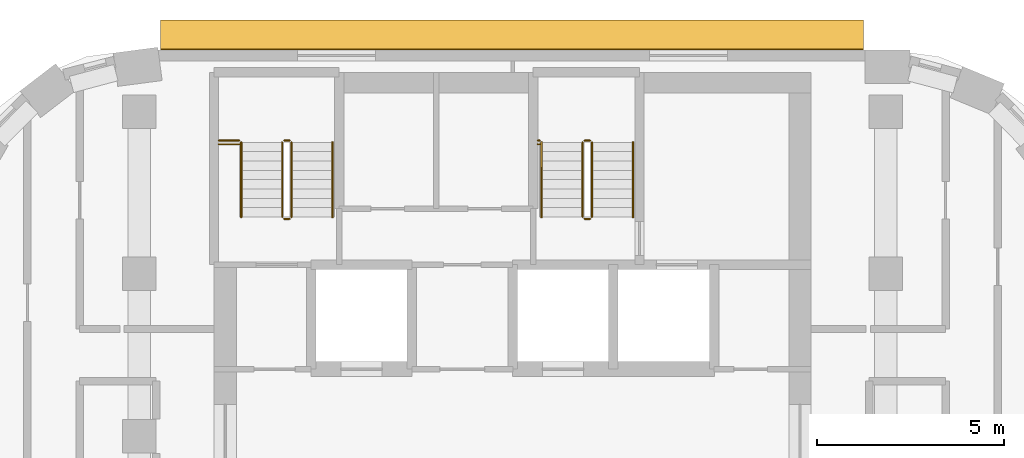
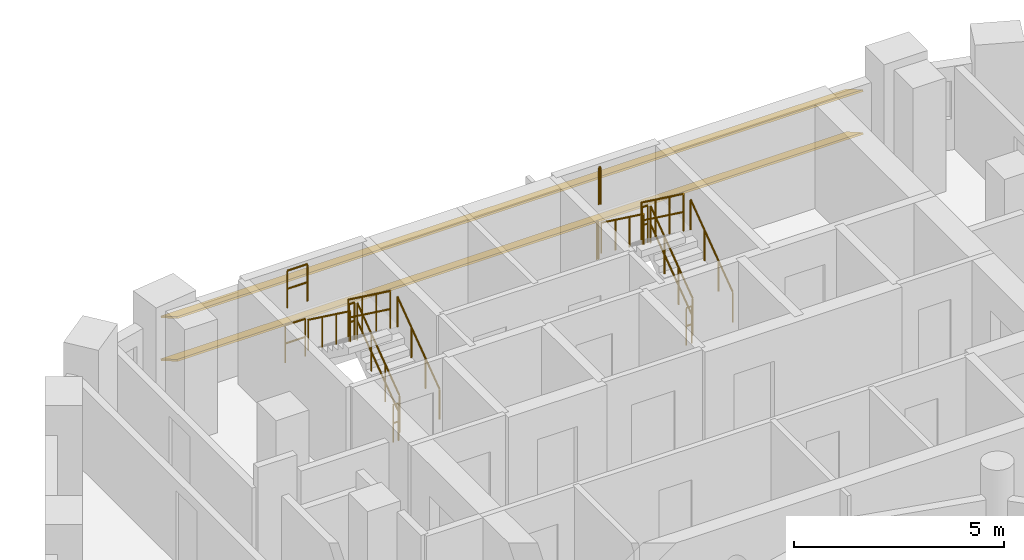
# One storey, part 16 of 16: 16 railings, 2 shading devices.
"""IFC4 building model written with IfcOpenShell, lengths in metres."""

import ifcopenshell
import ifcopenshell.guid

model = None  # the IFC model being written
_history = None  # IfcOwnerHistory: only IFC2X3 demands one
_inside = {}  # id of a spatial element -> (the spatial element, [elements in it])
_under = {}  # id of a project, library or spatial element -> (it, [spatial elements below it])
_declared = {}  # id of a project -> (the project, [libraries it declares])
_typed = {}  # id of a type object -> (the type object, [elements of that type])
_made_of = {}  # id of a material, layer set ... -> (it, [elements and type objects made of it])


def new_model(schema):
    """Start an empty IFC model of exactly this schema.

    Asked for "IFC4X3", IfcOpenShell would pick the latest addendum, in which some entities
    have other attributes; the version numbers below select the first issue.
    IFC2X3 requires an IfcOwnerHistory on every rooted entity: one is made here for all.
    """
    global model, _history
    if schema == "IFC4X3":
        model = ifcopenshell.file(schema_version=(4, 3, 0, 0))
    else:
        model = ifcopenshell.file(schema=schema)
    _inside.clear()
    _under.clear()
    _declared.clear()
    _typed.clear()
    _made_of.clear()
    _history = None
    if model.schema == "IFC2X3":
        org = make("IfcOrganization", Name="unknown")
        user = make(
            "IfcPersonAndOrganization",
            ThePerson=make("IfcPerson", FamilyName="unknown"),
            TheOrganization=org,
        )
        app = make(
            "IfcApplication",
            ApplicationDeveloper=org,
            Version="unknown",
            ApplicationFullName="unknown",
            ApplicationIdentifier="unknown",
        )
        _history = make(
            "IfcOwnerHistory",
            OwningUser=user,
            OwningApplication=app,
            ChangeAction="ADDED",
            CreationDate=0,
        )
    return model


def make(cls, **values):
    """One entity of the class cls with the attributes given. An attribute that is None is left unset."""
    return model.create_entity(
        cls, **{name: value for name, value in values.items() if value is not None}
    )


def rooted(cls, **values):
    """An entity with a GlobalId (a new one), such as an element, a storey or a relation."""
    return make(cls, GlobalId=ifcopenshell.guid.new(), OwnerHistory=_history, **values)


def si_unit(unit_type, name, prefix=None):
    """IfcSIUnit, for example si_unit("LENGTHUNIT", "METRE", prefix="MILLI")."""
    return make("IfcSIUnit", UnitType=unit_type, Prefix=prefix, Name=name)


def assignment(units):
    """IfcUnitAssignment: the units of a project."""
    return None if units is None else make("IfcUnitAssignment", Units=units)


def point(xyz):
    """IfcCartesianPoint."""
    return None if xyz is None else make("IfcCartesianPoint", Coordinates=xyz)


def direction(xyz):
    """IfcDirection."""
    return None if xyz is None else make("IfcDirection", DirectionRatios=xyz)


def frame(location, z_axis=None, x_axis=None):
    """IfcAxis2Placement3D, a coordinate frame: its origin and axes. An axis left out is left unset."""
    return make(
        "IfcAxis2Placement3D",
        Location=point(location),
        Axis=direction(z_axis),
        RefDirection=direction(x_axis),
    )


def frame_2d(location, x_axis=None):
    """IfcAxis2Placement2D, a coordinate frame in the plane: its origin and x axis."""
    return make(
        "IfcAxis2Placement2D", Location=point(location), RefDirection=direction(x_axis)
    )


def origin():
    """The frame at (0, 0, 0) with its axes left unset."""
    return frame((0.0, 0.0, 0.0))


def origin_2d():
    """The frame at (0, 0) in the plane with its x axis left unset."""
    return frame_2d((0.0, 0.0))


def place(relative_to, where):
    """IfcLocalPlacement: puts the frame where relative to a parent placement (None: the world)."""
    return make(
        "IfcLocalPlacement", PlacementRelTo=relative_to, RelativePlacement=where
    )


def context(
    kind, dimensions, precision=None, world=None, true_north=None, identifier=None
):
    """IfcGeometricRepresentationContext, for example the 3D "Model" context."""
    return make(
        "IfcGeometricRepresentationContext",
        ContextIdentifier=identifier,
        ContextType=kind,
        CoordinateSpaceDimension=dimensions,
        Precision=precision,
        WorldCoordinateSystem=world,
        TrueNorth=true_north,
    )


def subcontext(parent, identifier, kind, view, scale=None):
    """IfcGeometricRepresentationSubContext, for example "Body" below "Model"."""
    return make(
        "IfcGeometricRepresentationSubContext",
        ContextIdentifier=identifier,
        ContextType=kind,
        ParentContext=parent,
        TargetScale=scale,
        TargetView=view,
    )


def project(units=None, contexts=None):
    """IfcProject with its units and contexts."""
    return rooted(
        "IfcProject",
        Name="project",
        RepresentationContexts=contexts,
        UnitsInContext=assignment(units),
    )


def spatial(cls, under=None, at=None, **own):
    """A site, building, storey or space (cls), placed at a placement, below another one or the project."""
    s = rooted(cls, ObjectPlacement=at, **own)
    if under is not None:
        _under.setdefault(under.id(), (under, []))[1].append(s)
    return s


def profile(cls, at=None, kind="AREA", **sizes):
    """A parametric profile (cls). Its sizes go by their IFC names, for example OverallWidth=200.0."""
    return make(cls, ProfileType=kind, Position=at, **sizes)


def rectangle(**sizes):
    """IfcRectangleProfileDef."""
    return profile("IfcRectangleProfileDef", **sizes)


def circle(**sizes):
    """IfcCircleProfileDef."""
    return profile("IfcCircleProfileDef", **sizes)


def extrude(swept, where, along, depth):
    """IfcExtrudedAreaSolid: the profile swept, set in the frame where, extruded along a direction by depth."""
    return make(
        "IfcExtrudedAreaSolid",
        SweptArea=swept,
        Position=where,
        ExtrudedDirection=direction(along),
        Depth=depth,
    )


def shape(context_of_items, identifier, shape_type, items):
    """IfcShapeRepresentation: the items that make up one representation, for example the "Body"."""
    return make(
        "IfcShapeRepresentation",
        ContextOfItems=context_of_items,
        RepresentationIdentifier=identifier,
        RepresentationType=shape_type,
        Items=items,
    )


def material(Name=None, Category=None):
    """IfcMaterial."""
    return make("IfcMaterial", Name=Name, Category=Category)


def material_profile(
    of_material, cross_section, Name=None, Category=None, Priority=None
):
    """IfcMaterialProfile: a cross section and its material."""
    return make(
        "IfcMaterialProfile",
        Name=Name,
        Material=of_material,
        Profile=cross_section,
        Priority=Priority,
        Category=Category,
    )


def profile_set(profiles, Name=None, composite=None):
    """IfcMaterialProfileSet."""
    return make(
        "IfcMaterialProfileSet",
        Name=Name,
        MaterialProfiles=profiles,
        CompositeProfile=composite,
    )


def made_of(thing, what):
    """Note that an element or type object is made of a material, layer set ...; save() writes the relation."""
    if what is not None:
        _made_of.setdefault(what.id(), (what, []))[1].append(thing)
    return thing


def type_object(cls, material=None, **own):
    """A type object (cls), such as IfcWallType, which elements share."""
    return made_of(rooted(cls, **own), material)


def element(
    cls,
    number,
    at=None,
    inside=None,
    cuts=None,
    type_object=None,
    material=None,
    context=None,
    identifier="Body",
    shape_type=None,
    held_by="IfcProductDefinitionShape",
    body=None,
    shapes=None,
    **own,
):
    """One element of the class cls, such as IfcWall. Its Tag is "e" and its number.

    at: its placement. inside: the storey or other place that contains it. cuts: it is an
    opening in that element (IfcRelVoidsElement). A single representation is given by context,
    identifier, shape_type and body (its items); several are given by shapes. held_by: the class
    of the entity that holds the representations. save() writes the other relations.
    """
    e = rooted(cls, Tag="e%d" % number, ObjectPlacement=at, **own)
    if body is not None:
        shapes = [shape(context, identifier, shape_type, body)]
    if shapes is not None:
        e.Representation = make(held_by, Representations=shapes)
    if inside is not None:
        _inside.setdefault(inside.id(), (inside, []))[1].append(e)
    if cuts is not None:
        rooted(
            "IfcRelVoidsElement", RelatingBuildingElement=cuts, RelatedOpeningElement=e
        )
    if type_object is not None:
        _typed.setdefault(type_object.id(), (type_object, []))[1].append(e)
    return made_of(e, material)


def aggregate(whole, parts):
    """IfcRelAggregates: a whole, such as a stair, and the parts it consists of."""
    return rooted("IfcRelAggregates", RelatingObject=whole, RelatedObjects=parts)


def save(model, path):
    """Write the relations noted so far, then the file.

    IfcRelAggregates (storeys below a building ...), IfcRelContainedInSpatialStructure (elements
    in a storey), IfcRelDefinesByType, IfcRelAssociatesMaterial and IfcRelDeclares: one each for
    every whole, place, type object, material and project.
    """
    for whole, parts in _under.values():
        aggregate(whole, parts)
    for where, things in _inside.values():
        rooted(
            "IfcRelContainedInSpatialStructure",
            RelatedElements=things,
            RelatingStructure=where,
        )
    for kind, things in _typed.values():
        rooted("IfcRelDefinesByType", RelatedObjects=things, RelatingType=kind)
    for what, things in _made_of.values():
        rooted("IfcRelAssociatesMaterial", RelatedObjects=things, RelatingMaterial=what)
    for by, libraries in _declared.values():
        rooted("IfcRelDeclares", RelatingContext=by, RelatedDefinitions=libraries)
    model.write(path)


model = new_model("IFC4")

# Units and contexts
model_context = context("Model", 3, precision=1e-05, world=origin(), true_north=direction((0.0, 1.0)))
body_context = subcontext(model_context, "Body", "Model", "MODEL_VIEW")
ifc_project = project(units=[si_unit("LENGTHUNIT", "METRE"), si_unit("AREAUNIT", "SQUARE_METRE"), si_unit("VOLUMEUNIT", "CUBIC_METRE"), si_unit("PLANEANGLEUNIT", "RADIAN"), si_unit("MASSUNIT", "GRAM", prefix="KILO")], contexts=[model_context])

# Site, building, storey
site_placement = place(None, origin())
site = spatial("IfcSite", under=ifc_project, at=site_placement, CompositionType="ELEMENT")
building_placement = place(site_placement, origin())
building = spatial("IfcBuilding", under=site, at=building_placement, Name="Nakaniwa Court", CompositionType="ELEMENT")
storey_placement = place(building_placement, frame((0.0, 0.0, 196.5)))
storey = spatial("IfcBuildingStorey", under=building, at=storey_placement, Name="L51", CompositionType="ELEMENT", Elevation=196.5)

# Shading devices
ifc_material_1 = material(Name="Perforated charcoal ceramic louvre blade")
ifc_material_profile = material_profile(ifc_material_1, rectangle(XDim=0.89990234375, YDim=0.050048828125, at=origin_2d()), Name="Perforated ceramic louvre blade")
ifc_profile_set = profile_set([ifc_material_profile], Name="Perforated charcoal ceramic louvre blade")
shading_device_type = type_object("IfcShadingDeviceType", Name="Perforated ceramic louvre blade", PredefinedType="JALOUSIE", material=ifc_profile_set)
for number, where, z_axis, x_axis, name in (
    (1, (89.3994140625, 103.05224609375, 0.550048828125), (-1.0, 0.0, 0.0), (0.0, -0.866025403784, 0.5), "L51 perforated ceramic louvre blade w08 1"),
    (2, (89.3994140625, 103.05224609375, 1.793212890625), (-1.0, 0.0, 0.0), (0.0, -0.866025403784, 0.5), "L51 perforated ceramic louvre blade w08 2"),
):
    element("IfcShadingDevice", number, at=place(storey_placement, frame(where, z_axis=z_axis, x_axis=x_axis)), inside=storey, type_object=shading_device_type, Name=name, PredefinedType="JALOUSIE", context=body_context, shape_type="SweptSolid", body=[
        extrude(rectangle(XDim=0.89990234375, YDim=0.050048828125, at=origin_2d()), origin(), (0.0, 0.0, 1.0), 18.8330078125),
    ])

# Railings
ifc_material_2 = material(Name="Black powder coated steel guard", Category="steel")
railing_type_1 = type_object("IfcRailingType", Name="Stair guard 1100", PredefinedType="GUARDRAIL", material=ifc_material_2)
railing_1_placement = place(storey_placement, frame((74.074951171875, 98.175048828125, 0.183349609375)))
element("IfcRailing", 3, at=railing_1_placement, inside=storey, type_object=railing_type_1, Name="L51 ST1 stair guard 1", PredefinedType="GUARDRAIL", context=body_context, shape_type="SweptSolid", body=[
    extrude(circle(Radius=0.02392578125, at=origin_2d()), frame((0.0, 0.0, 1.076171875), z_axis=(0.0, 0.806426902644, 0.591333789573), x_axis=(-1.0, 0.0, 0.0)), (0.0, 0.0, 1.0), 2.47998046875),
    extrude(circle(Radius=0.02392578125, at=origin_2d()), frame((0.0, 0.0, 0.550048828125), z_axis=(0.0, 0.806426902644, 0.591333789573), x_axis=(-1.0, 0.0, 0.0)), (0.0, 0.0, 1.0), 2.47998046875),
    extrude(circle(Radius=0.02099609375, at=origin_2d()), origin(), (0.0, 0.0, 1.0), 1.052001953125),
    extrude(circle(Radius=0.02099609375, at=origin_2d()), frame((0.0, 0.666748046875, 0.48876953125)), (0.0, 0.0, 1.0), 1.052001953125),
    extrude(circle(Radius=0.02099609375, at=origin_2d()), frame((0.0, 1.333251953125, 0.977783203125)), (0.0, 0.0, 1.0), 1.052001953125),
    extrude(circle(Radius=0.02099609375, at=origin_2d()), frame((0.0, 2.0, 1.466552734375)), (0.0, 0.0, 1.0), 1.052001953125),
])
railing_2_placement = place(storey_placement, frame((74.02490234375, 100.22509765625, 1.64990234375)))
element("IfcRailing", 4, at=railing_2_placement, inside=storey, type_object=railing_type_1, Name="L51 ST1 stair guard 2", PredefinedType="GUARDRAIL", context=body_context, shape_type="SweptSolid", body=[
    extrude(circle(Radius=0.02392578125, at=origin_2d()), frame((0.0, 0.0, 1.076171875), z_axis=(-1.0, 0.0, 0.0), x_axis=(0.0, -1.0, 0.0)), (0.0, 0.0, 1.0), 0.14990234375),
    extrude(circle(Radius=0.02392578125, at=origin_2d()), frame((0.0, 0.0, 0.550048828125), z_axis=(-1.0, 0.0, 0.0), x_axis=(0.0, -1.0, 0.0)), (0.0, 0.0, 1.0), 0.14990234375),
    extrude(circle(Radius=0.02099609375, at=origin_2d()), origin(), (0.0, 0.0, 1.0), 1.052001953125),
    extrude(circle(Radius=0.02099609375, at=origin_2d()), frame((-0.14990234375, 0.0, 0.0)), (0.0, 0.0, 1.0), 1.052001953125),
])
railing_3_placement = place(storey_placement, frame((73.824951171875, 100.175048828125, 1.833251953125)))
element("IfcRailing", 5, at=railing_3_placement, inside=storey, type_object=railing_type_1, Name="L51 ST1 stair guard 3", PredefinedType="GUARDRAIL", context=body_context, shape_type="SweptSolid", body=[
    extrude(circle(Radius=0.02392578125, at=origin_2d()), frame((0.0, 0.0, 1.076171875), z_axis=(0.0, -0.806379959628, 0.591397802423), x_axis=(1.0, 0.0, 0.0)), (0.0, 0.0, 1.0), 2.480224609375),
    extrude(circle(Radius=0.02392578125, at=origin_2d()), frame((0.0, 0.0, 0.550048828125), z_axis=(0.0, -0.806379959628, 0.591397802423), x_axis=(1.0, 0.0, 0.0)), (0.0, 0.0, 1.0), 2.480224609375),
    extrude(circle(Radius=0.02099609375, at=origin_2d()), origin(), (0.0, 0.0, 1.0), 1.052001953125),
    extrude(circle(Radius=0.02099609375, at=origin_2d()), frame((0.0, -0.666748046875, 0.489013671875)), (0.0, 0.0, 1.0), 1.052001953125),
    extrude(circle(Radius=0.02099609375, at=origin_2d()), frame((0.0, -1.333251953125, 0.977783203125)), (0.0, 0.0, 1.0), 1.052001953125),
    extrude(circle(Radius=0.02099609375, at=origin_2d()), frame((0.0, -2.0, 1.466796875)), (0.0, 0.0, 1.0), 1.052001953125),
])
railing_4_placement = place(storey_placement, frame((74.02490234375, 98.125, 0.0)))
element("IfcRailing", 6, at=railing_4_placement, inside=storey, type_object=railing_type_1, Name="L51 ST1 stair guard 4", PredefinedType="GUARDRAIL", context=body_context, shape_type="SweptSolid", body=[
    extrude(circle(Radius=0.02392578125, at=origin_2d()), frame((0.0, 0.0, 1.076171875), z_axis=(-1.0, 0.0, 0.0), x_axis=(0.0, -1.0, 0.0)), (0.0, 0.0, 1.0), 0.14990234375),
    extrude(circle(Radius=0.02392578125, at=origin_2d()), frame((0.0, 0.0, 0.550048828125), z_axis=(-1.0, 0.0, 0.0), x_axis=(0.0, -1.0, 0.0)), (0.0, 0.0, 1.0), 0.14990234375),
    extrude(circle(Radius=0.02099609375, at=origin_2d()), origin(), (0.0, 0.0, 1.0), 1.052001953125),
    extrude(circle(Radius=0.02099609375, at=origin_2d()), frame((-0.14990234375, 0.0, 0.0)), (0.0, 0.0, 1.0), 1.052001953125),
])
for number, where, name in (
    (7, (72.125, 100.22509765625, 1.64990234375), "L51 ST1 landing side guard 1W"),
    (8, (72.125, 100.125, 3.300048828125), "L51 ST1 floor edge guard 1W"),
):
    element("IfcRailing", number, at=place(storey_placement, frame(where)), inside=storey, type_object=railing_type_1, Name=name, PredefinedType="GUARDRAIL", context=body_context, shape_type="SweptSolid", body=[
        extrude(circle(Radius=0.02392578125, at=origin_2d()), frame((0.0, 0.0, 1.076171875), z_axis=(1.0, 0.0, 0.0), x_axis=(0.0, 1.0, 0.0)), (0.0, 0.0, 1.0), 0.550048828125),
        extrude(circle(Radius=0.02392578125, at=origin_2d()), frame((0.0, 0.0, 0.550048828125), z_axis=(1.0, 0.0, 0.0), x_axis=(0.0, 1.0, 0.0)), (0.0, 0.0, 1.0), 0.550048828125),
        extrude(circle(Radius=0.02099609375, at=origin_2d()), origin(), (0.0, 0.0, 1.0), 1.052001953125),
        extrude(circle(Radius=0.02099609375, at=origin_2d()), frame((0.550048828125, 0.0, 0.0)), (0.0, 0.0, 1.0), 1.052001953125),
    ])
railing_5_placement = place(storey_placement, frame((82.125, 98.175048828125, 0.183349609375)))
element("IfcRailing", 9, at=railing_5_placement, inside=storey, type_object=railing_type_1, Name="L51 ST2 stair guard 1", PredefinedType="GUARDRAIL", context=body_context, shape_type="SweptSolid", body=[
    extrude(circle(Radius=0.02392578125, at=origin_2d()), frame((0.0, 0.0, 1.076171875), z_axis=(0.0, 0.806426902644, 0.591333789573), x_axis=(-1.0, 0.0, 0.0)), (0.0, 0.0, 1.0), 2.47998046875),
    extrude(circle(Radius=0.02392578125, at=origin_2d()), frame((0.0, 0.0, 0.550048828125), z_axis=(0.0, 0.806426902644, 0.591333789573), x_axis=(-1.0, 0.0, 0.0)), (0.0, 0.0, 1.0), 2.47998046875),
    extrude(circle(Radius=0.02099609375, at=origin_2d()), origin(), (0.0, 0.0, 1.0), 1.052001953125),
    extrude(circle(Radius=0.02099609375, at=origin_2d()), frame((0.0, 0.666748046875, 0.48876953125)), (0.0, 0.0, 1.0), 1.052001953125),
    extrude(circle(Radius=0.02099609375, at=origin_2d()), frame((0.0, 1.333251953125, 0.977783203125)), (0.0, 0.0, 1.0), 1.052001953125),
    extrude(circle(Radius=0.02099609375, at=origin_2d()), frame((0.0, 2.0, 1.466552734375)), (0.0, 0.0, 1.0), 1.052001953125),
])
railing_6_placement = place(storey_placement, frame((82.074951171875, 100.22509765625, 1.64990234375)))
element("IfcRailing", 10, at=railing_6_placement, inside=storey, type_object=railing_type_1, Name="L51 ST2 stair guard 2", PredefinedType="GUARDRAIL", context=body_context, shape_type="SweptSolid", body=[
    extrude(circle(Radius=0.02392578125, at=origin_2d()), frame((0.0, 0.0, 1.076171875), z_axis=(-1.0, 0.0, 0.0), x_axis=(0.0, -1.0, 0.0)), (0.0, 0.0, 1.0), 0.14990234375),
    extrude(circle(Radius=0.02392578125, at=origin_2d()), frame((0.0, 0.0, 0.550048828125), z_axis=(-1.0, 0.0, 0.0), x_axis=(0.0, -1.0, 0.0)), (0.0, 0.0, 1.0), 0.14990234375),
    extrude(circle(Radius=0.02099609375, at=origin_2d()), origin(), (0.0, 0.0, 1.0), 1.052001953125),
    extrude(circle(Radius=0.02099609375, at=origin_2d()), frame((-0.14990234375, 0.0, 0.0)), (0.0, 0.0, 1.0), 1.052001953125),
])
railing_7_placement = place(storey_placement, frame((81.875, 100.175048828125, 1.833251953125)))
element("IfcRailing", 11, at=railing_7_placement, inside=storey, type_object=railing_type_1, Name="L51 ST2 stair guard 3", PredefinedType="GUARDRAIL", context=body_context, shape_type="SweptSolid", body=[
    extrude(circle(Radius=0.02392578125, at=origin_2d()), frame((0.0, 0.0, 1.076171875), z_axis=(0.0, -0.806379959628, 0.591397802423), x_axis=(1.0, 0.0, 0.0)), (0.0, 0.0, 1.0), 2.480224609375),
    extrude(circle(Radius=0.02392578125, at=origin_2d()), frame((0.0, 0.0, 0.550048828125), z_axis=(0.0, -0.806379959628, 0.591397802423), x_axis=(1.0, 0.0, 0.0)), (0.0, 0.0, 1.0), 2.480224609375),
    extrude(circle(Radius=0.02099609375, at=origin_2d()), origin(), (0.0, 0.0, 1.0), 1.052001953125),
    extrude(circle(Radius=0.02099609375, at=origin_2d()), frame((0.0, -0.666748046875, 0.489013671875)), (0.0, 0.0, 1.0), 1.052001953125),
    extrude(circle(Radius=0.02099609375, at=origin_2d()), frame((0.0, -1.333251953125, 0.977783203125)), (0.0, 0.0, 1.0), 1.052001953125),
    extrude(circle(Radius=0.02099609375, at=origin_2d()), frame((0.0, -2.0, 1.466796875)), (0.0, 0.0, 1.0), 1.052001953125),
])
railing_8_placement = place(storey_placement, frame((82.074951171875, 98.125, 0.0)))
element("IfcRailing", 12, at=railing_8_placement, inside=storey, type_object=railing_type_1, Name="L51 ST2 stair guard 4", PredefinedType="GUARDRAIL", context=body_context, shape_type="SweptSolid", body=[
    extrude(circle(Radius=0.02392578125, at=origin_2d()), frame((0.0, 0.0, 1.076171875), z_axis=(-1.0, 0.0, 0.0), x_axis=(0.0, -1.0, 0.0)), (0.0, 0.0, 1.0), 0.14990234375),
    extrude(circle(Radius=0.02392578125, at=origin_2d()), frame((0.0, 0.0, 0.550048828125), z_axis=(-1.0, 0.0, 0.0), x_axis=(0.0, -1.0, 0.0)), (0.0, 0.0, 1.0), 0.14990234375),
    extrude(circle(Radius=0.02099609375, at=origin_2d()), origin(), (0.0, 0.0, 1.0), 1.052001953125),
    extrude(circle(Radius=0.02099609375, at=origin_2d()), frame((-0.14990234375, 0.0, 0.0)), (0.0, 0.0, 1.0), 1.052001953125),
])
for number, where, name in (
    (13, (80.675048828125, 100.22509765625, 1.64990234375), "L51 ST2 landing side guard 1W"),
    (14, (80.675048828125, 100.125, 3.300048828125), "L51 ST2 floor edge guard 1W"),
):
    element("IfcRailing", number, at=place(storey_placement, frame(where)), inside=storey, type_object=railing_type_1, Name=name, PredefinedType="GUARDRAIL", context=body_context, shape_type="SweptSolid", body=[
        extrude(circle(Radius=0.02392578125, at=origin_2d()), frame((0.0, 0.0, 1.076171875), z_axis=(1.0, 0.0, 0.0), x_axis=(0.0, 1.0, 0.0)), (0.0, 0.0, 1.0), 0.050048828125),
        extrude(circle(Radius=0.02392578125, at=origin_2d()), frame((0.0, 0.0, 0.550048828125), z_axis=(1.0, 0.0, 0.0), x_axis=(0.0, 1.0, 0.0)), (0.0, 0.0, 1.0), 0.050048828125),
        extrude(circle(Radius=0.02099609375, at=origin_2d()), origin(), (0.0, 0.0, 1.0), 1.052001953125),
        extrude(circle(Radius=0.02099609375, at=origin_2d()), frame((0.050048828125, 0.0, 0.0)), (0.0, 0.0, 1.0), 1.052001953125),
    ])
ifc_material_3 = material(Name="Black powder coated steel handrail", Category="steel")
railing_type_2 = type_object("IfcRailingType", Name="Stair handrail 900", PredefinedType="HANDRAIL", material=ifc_material_3)
railing_9_placement = place(storey_placement, frame((75.175048828125, 98.175048828125, 0.183349609375)))
element("IfcRailing", 15, at=railing_9_placement, inside=storey, type_object=railing_type_2, Name="L51 ST1 stair handrail 1", PredefinedType="HANDRAIL", context=body_context, shape_type="SweptSolid", body=[
    extrude(circle(Radius=0.02392578125, at=origin_2d()), frame((0.0, 0.0, 0.8759765625), z_axis=(0.0, 0.806426902644, 0.591333789573), x_axis=(-1.0, 0.0, 0.0)), (0.0, 0.0, 1.0), 2.47998046875),
    extrude(circle(Radius=0.02099609375, at=origin_2d()), origin(), (0.0, 0.0, 1.0), 0.851806640625),
    extrude(circle(Radius=0.02099609375, at=origin_2d()), frame((0.0, 0.666748046875, 0.48876953125)), (0.0, 0.0, 1.0), 0.851806640625),
    extrude(circle(Radius=0.02099609375, at=origin_2d()), frame((0.0, 1.333251953125, 0.977783203125)), (0.0, 0.0, 1.0), 0.851806640625),
    extrude(circle(Radius=0.02099609375, at=origin_2d()), frame((0.0, 2.0, 1.466552734375)), (0.0, 0.0, 1.0), 0.851806640625),
])
railing_10_placement = place(storey_placement, frame((72.72509765625, 100.175048828125, 1.833251953125)))
element("IfcRailing", 16, at=railing_10_placement, inside=storey, type_object=railing_type_2, Name="L51 ST1 stair handrail 2", PredefinedType="HANDRAIL", context=body_context, shape_type="SweptSolid", body=[
    extrude(circle(Radius=0.02392578125, at=origin_2d()), frame((0.0, 0.0, 0.8759765625), z_axis=(0.0, -0.806379959628, 0.591397802423), x_axis=(1.0, 0.0, 0.0)), (0.0, 0.0, 1.0), 2.480224609375),
    extrude(circle(Radius=0.02099609375, at=origin_2d()), origin(), (0.0, 0.0, 1.0), 0.851806640625),
    extrude(circle(Radius=0.02099609375, at=origin_2d()), frame((0.0, -0.666748046875, 0.489013671875)), (0.0, 0.0, 1.0), 0.851806640625),
    extrude(circle(Radius=0.02099609375, at=origin_2d()), frame((0.0, -1.333251953125, 0.977783203125)), (0.0, 0.0, 1.0), 0.851806640625),
    extrude(circle(Radius=0.02099609375, at=origin_2d()), frame((0.0, -2.0, 1.466796875)), (0.0, 0.0, 1.0), 0.851806640625),
])
railing_11_placement = place(storey_placement, frame((83.22509765625, 98.175048828125, 0.183349609375)))
element("IfcRailing", 17, at=railing_11_placement, inside=storey, type_object=railing_type_2, Name="L51 ST2 stair handrail 1", PredefinedType="HANDRAIL", context=body_context, shape_type="SweptSolid", body=[
    extrude(circle(Radius=0.02392578125, at=origin_2d()), frame((0.0, 0.0, 0.8759765625), z_axis=(0.0, 0.806426902644, 0.591333789573), x_axis=(-1.0, 0.0, 0.0)), (0.0, 0.0, 1.0), 2.47998046875),
    extrude(circle(Radius=0.02099609375, at=origin_2d()), origin(), (0.0, 0.0, 1.0), 0.851806640625),
    extrude(circle(Radius=0.02099609375, at=origin_2d()), frame((0.0, 0.666748046875, 0.48876953125)), (0.0, 0.0, 1.0), 0.851806640625),
    extrude(circle(Radius=0.02099609375, at=origin_2d()), frame((0.0, 1.333251953125, 0.977783203125)), (0.0, 0.0, 1.0), 0.851806640625),
    extrude(circle(Radius=0.02099609375, at=origin_2d()), frame((0.0, 2.0, 1.466552734375)), (0.0, 0.0, 1.0), 0.851806640625),
])
railing_12_placement = place(storey_placement, frame((80.77490234375, 100.175048828125, 1.833251953125)))
element("IfcRailing", 18, at=railing_12_placement, inside=storey, type_object=railing_type_2, Name="L51 ST2 stair handrail 2", PredefinedType="HANDRAIL", context=body_context, shape_type="SweptSolid", body=[
    extrude(circle(Radius=0.02392578125, at=origin_2d()), frame((0.0, 0.0, 0.8759765625), z_axis=(0.0, -0.806379959628, 0.591397802423), x_axis=(1.0, 0.0, 0.0)), (0.0, 0.0, 1.0), 2.480224609375),
    extrude(circle(Radius=0.02099609375, at=origin_2d()), origin(), (0.0, 0.0, 1.0), 0.851806640625),
    extrude(circle(Radius=0.02099609375, at=origin_2d()), frame((0.0, -0.666748046875, 0.489013671875)), (0.0, 0.0, 1.0), 0.851806640625),
    extrude(circle(Radius=0.02099609375, at=origin_2d()), frame((0.0, -1.333251953125, 0.977783203125)), (0.0, 0.0, 1.0), 0.851806640625),
    extrude(circle(Radius=0.02099609375, at=origin_2d()), frame((0.0, -2.0, 1.466796875)), (0.0, 0.0, 1.0), 0.851806640625),
])

save(model, "model.ifc")
